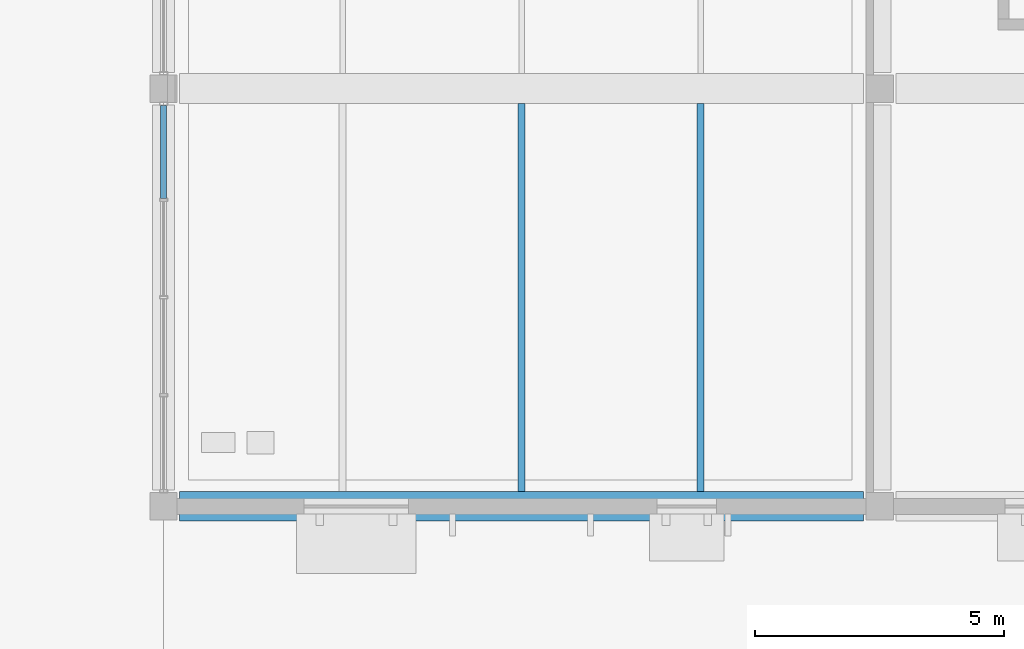
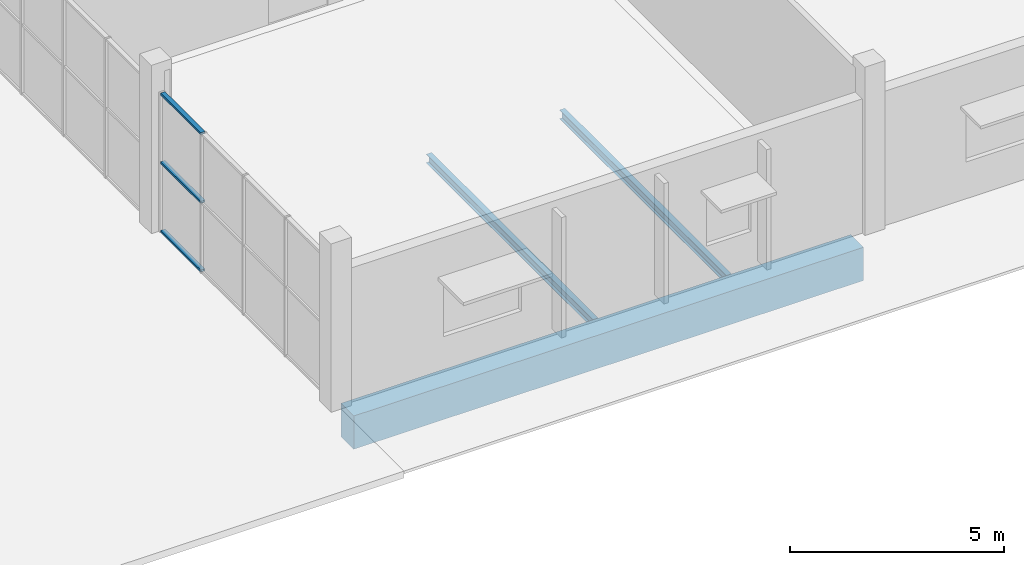
# One storey, part 29 of 130: 3 beams, 3 members, 1 element without a shape of its own.
"""IFC4 building model written with IfcOpenShell, lengths in metres."""

from ifc_helpers import new_model, si_unit, direction, frame, origin, origin_2d, place, context, subcontext, project, spatial, rectangle, hollow_rectangle, i_section, extrude, material, material_profile, profile_set, type_object, element, aggregate, save


model = new_model("IFC4")

# Units and contexts
model_context = context("Model", 3, precision=1e-05, world=origin(), true_north=direction((0.0, 1.0)))
body_context = subcontext(model_context, "Body", "Model", "MODEL_VIEW")
ifc_project = project(units=[si_unit("LENGTHUNIT", "METRE"), si_unit("AREAUNIT", "SQUARE_METRE"), si_unit("VOLUMEUNIT", "CUBIC_METRE"), si_unit("PLANEANGLEUNIT", "RADIAN"), si_unit("MASSUNIT", "GRAM", prefix="KILO"), si_unit("THERMODYNAMICTEMPERATUREUNIT", "KELVIN")], contexts=[model_context])

# Site, building, storey
site_placement = place(None, origin())
site = spatial("IfcSite", under=ifc_project, at=site_placement, CompositionType="ELEMENT")
building_placement = place(site_placement, origin())
building = spatial("IfcBuilding", under=site, at=building_placement, Name="Nduvali Passage Aquatics Centre", CompositionType="ELEMENT")
storey_placement = place(building_placement, origin())
storey = spatial("IfcBuildingStorey", under=building, at=storey_placement, Name="L00", CompositionType="ELEMENT", Elevation=0.0)

# Curtain wall, members
ifc_material_1 = material(Name="Aluminium EN AW-6063 T6", Category="aluminium")
curtain_wall_type = type_object("IfcCurtainWallType", Name="ENV-CW-COUR", PredefinedType="NOTDEFINED", material=ifc_material_1)
curtain_wall_placement = place(storey_placement, origin())
curtain_wall = element("IfcCurtainWall", 1, at=curtain_wall_placement, inside=storey, type_object=curtain_wall_type, Name="L00 Courtyard East Cloister CW 168", PredefinedType="NOTDEFINED")
ifc_material_profile_1 = material_profile(ifc_material_1, hollow_rectangle(XDim=0.1201171875, YDim=0.06005859375, WallThickness=0.00390625, at=origin_2d()), Name="ALU TRANSOM 120x60x4")
ifc_profile_set_1 = profile_set([ifc_material_profile_1], Name="Aluminium EN AW-6063 T6")
member_type = type_object("IfcMemberType", Name="ENV-MEM-TRN60", PredefinedType="USERDEFINED", material=ifc_profile_set_1)
member_1_placement = place(storey_placement, frame((97.199951171875, 6.1923828125, 0.030029296875), z_axis=(0.0, 1.0, 0.0), x_axis=(-1.0, 0.0, 0.0)))
member_1 = element("IfcMember", 2, at=member_1_placement, type_object=member_type, Name="Courtyard East Cloister CW Transom B4-R0", ObjectType="TRANSOM", PredefinedType="USERDEFINED", context=body_context, shape_type="SweptSolid", body=[
    extrude(hollow_rectangle(XDim=0.1201171875, YDim=0.06005859375, WallThickness=0.00390625, at=origin_2d()), origin(), (0.0, 0.0, 1.0), 1.87255859375),
])
member_2_placement = place(storey_placement, frame((97.199951171875, 6.1923828125, 1.98828125), z_axis=(0.0, 1.0, 0.0), x_axis=(-1.0, 0.0, 0.0)))
member_2 = element("IfcMember", 3, at=member_2_placement, type_object=member_type, Name="Courtyard East Cloister CW Transom B4-R1", ObjectType="TRANSOM", PredefinedType="USERDEFINED", context=body_context, shape_type="SweptSolid", body=[
    extrude(hollow_rectangle(XDim=0.1201171875, YDim=0.06005859375, WallThickness=0.00390625, at=origin_2d()), origin(), (0.0, 0.0, 1.0), 1.87255859375),
])
member_3_placement = place(storey_placement, frame((97.199951171875, 6.1923828125, 3.9462890625), z_axis=(0.0, 1.0, 0.0), x_axis=(-1.0, 0.0, 0.0)))
member_3 = element("IfcMember", 4, at=member_3_placement, type_object=member_type, Name="Courtyard East Cloister CW Transom B4-R2", ObjectType="TRANSOM", PredefinedType="USERDEFINED", context=body_context, shape_type="SweptSolid", body=[
    extrude(hollow_rectangle(XDim=0.1201171875, YDim=0.06005859375, WallThickness=0.00390625, at=origin_2d()), origin(), (0.0, 0.0, 1.0), 1.87255859375),
])
aggregate(curtain_wall, [member_1, member_2, member_3])

# Beams
ifc_material_2 = material(Name="Concrete C40/50", Category="concrete")
ifc_material_profile_2 = material_profile(ifc_material_2, rectangle(XDim=0.60009765625, YDim=0.949951171875, at=origin_2d()), Name="RC 600x950")
ifc_profile_set_2 = profile_set([ifc_material_profile_2], Name="Concrete C40/50")
beam_type_1 = type_object("IfcBeamType", Name="STR-BM-RC6095-EXT", PredefinedType="BEAM", material=ifc_profile_set_2)
beam_placement = place(storey_placement, frame((97.52490234375, 0.0, -0.77490234375), z_axis=(1.0, 0.0, 0.0), x_axis=(0.0, 1.0, 0.0)))
element("IfcBeam", 5, at=beam_placement, inside=storey, type_object=beam_type_1, Name="L00 Primary X-Girder B1E-0003", PredefinedType="BEAM", context=body_context, shape_type="SweptSolid", body=[
    extrude(rectangle(XDim=0.60009765625, YDim=0.949951171875, at=origin_2d()), origin(), (0.0, 0.0, 1.0), 13.75),
])
ifc_material_3 = material(Name="Steel S355", Category="steel")
ifc_material_profile_3 = material_profile(ifc_material_3, i_section(OverallWidth=0.146484375, OverallDepth=0.256103515625, WebThickness=0.00634765625, FlangeThickness=0.010986328125, FilletRadius=0.007568359375, at=origin_2d()), Name="UKB 254x146x37")
ifc_profile_set_3 = profile_set([ifc_material_profile_3], Name="Steel S355")
beam_type_2 = type_object("IfcBeamType", Name="STR-JST-UKB254", PredefinedType="JOIST", material=ifc_profile_set_3)
for number, where, z_axis, x_axis, name in (
    (6, (104.39990234375, 0.300048828125, -0.431884765625), (0.0, 1.0, 0.0), (-1.0, 0.0, 0.0), "L00 Secondary Joist J4-0262"),
    (7, (108.0, 0.300048828125, -0.431884765625), (0.0, 1.0, 0.0), (-1.0, 0.0, 0.0), "L00 Secondary Joist J4-0263"),
):
    element("IfcBeam", number, at=place(storey_placement, frame(where, z_axis=z_axis, x_axis=x_axis)), inside=storey, type_object=beam_type_2, Name=name, PredefinedType="JOIST", context=body_context, shape_type="SweptSolid", body=[
        extrude(i_section(OverallWidth=0.146484375, OverallDepth=0.256103515625, WebThickness=0.00634765625, FlangeThickness=0.010986328125, FilletRadius=0.007568359375, at=origin_2d()), origin(), (0.0, 0.0, 1.0), 7.800048828125),
    ])

save(model, "model.ifc")
